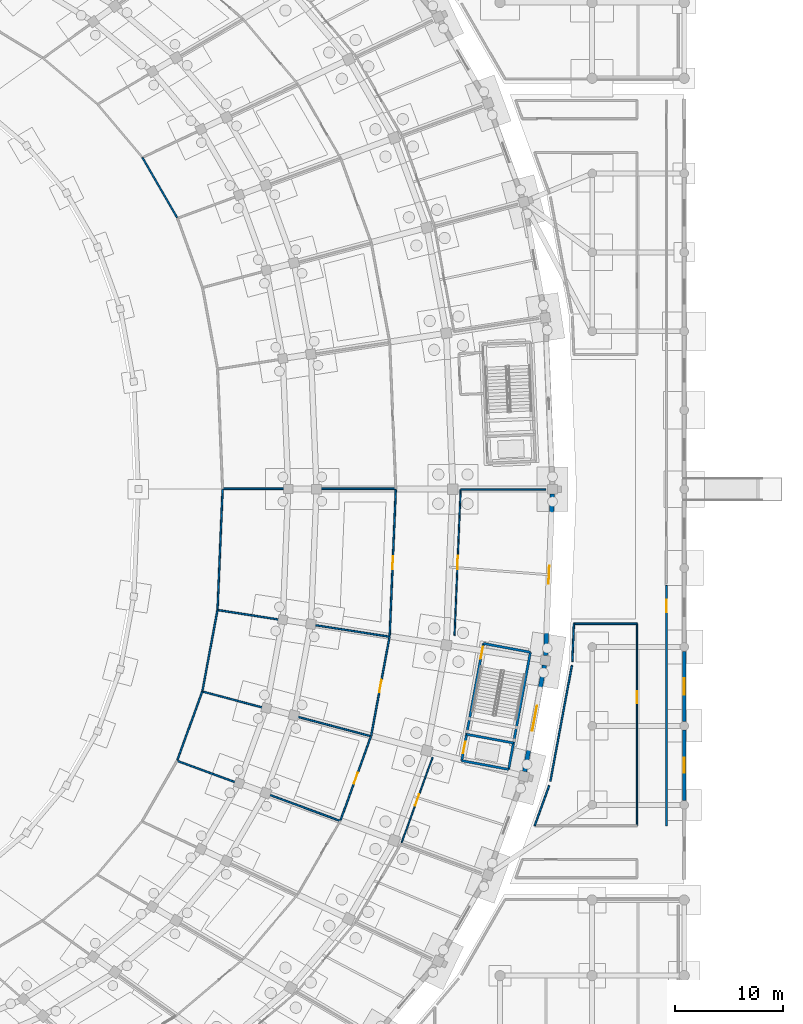
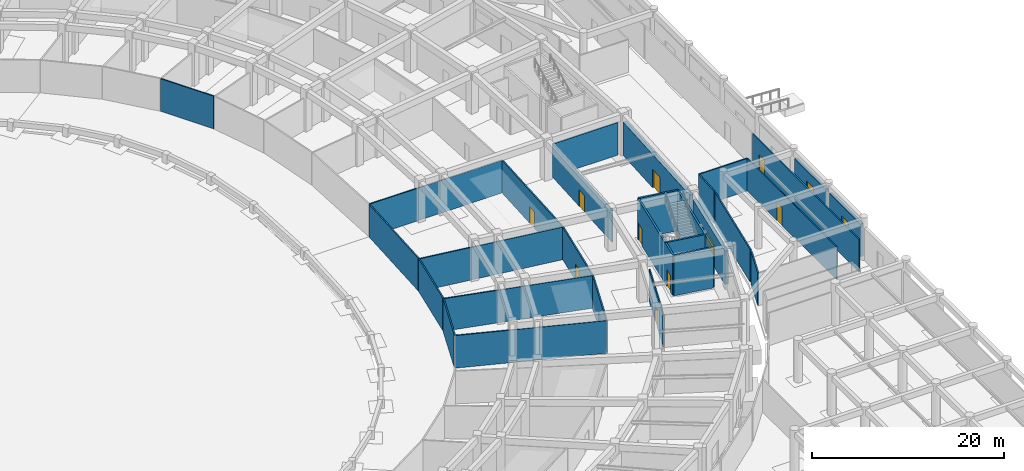
# One storey, part 53 of 88: 29 walls, 10 doors, 3 windows, 13 openings.
"""IFC4 building model written with IfcOpenShell, lengths in metres."""

from ifc_helpers import new_model, si_unit, direction, frame, frame_2d, origin, place, context, subcontext, project, spatial, rectangle, extrude, material, layer, layer_set, type_object, element, fill, save


model = new_model("IFC4")

# Units and contexts
model_context = context("Model", 3, precision=1e-05, world=origin(), true_north=direction((0.0, 1.0)))
body_context = subcontext(model_context, "Body", "Model", "MODEL_VIEW")
ifc_project = project(units=[si_unit("LENGTHUNIT", "METRE"), si_unit("AREAUNIT", "SQUARE_METRE"), si_unit("VOLUMEUNIT", "CUBIC_METRE"), si_unit("PLANEANGLEUNIT", "RADIAN"), si_unit("MASSUNIT", "GRAM", prefix="KILO")], contexts=[model_context])

# Site, building, storey
site_placement = place(None, origin())
site = spatial("IfcSite", under=ifc_project, at=site_placement, CompositionType="ELEMENT")
building_placement = place(site_placement, origin())
building = spatial("IfcBuilding", under=site, at=building_placement, Name="Mphavela Belvedere Stadium", CompositionType="ELEMENT")
storey_placement = place(building_placement, origin())
storey = spatial("IfcBuildingStorey", under=building, at=storey_placement, Name="L00", CompositionType="ELEMENT", Elevation=0.0)

# Walls
ifc_material_1 = material(Name="Concrete C40/50", Category="concrete")
ifc_layer_1 = layer(ifc_material_1, 0.219970703125)
ifc_layer_set_1 = layer_set([ifc_layer_1], Name="Concrete C40/50")
wall_type_1 = type_object("IfcWallType", Name="WAL-CORE-SHEAR-220", PredefinedType="SHEAR", material=ifc_layer_set_1)
wall_1_placement = place(storey_placement, frame((215.771728515625, 71.914794921875, 0.0), z_axis=(0.0, 0.0, 1.0), x_axis=(-0.182574755222, -0.983191974517, 0.0)))
element("IfcWall", 1, at=wall_1_placement, inside=storey, type_object=wall_type_1, Name="Core C12 shear wall L00 rear", PredefinedType="SHEAR", context=body_context, shape_type="SweptSolid", body=[
    extrude(rectangle(XDim=11.02001953125, YDim=0.219970703125, at=frame_2d((5.510009765625, 0.0))), origin(), (0.0, 0.0, 1.0), 5.14990234375),
])
for number, where, z_axis, x_axis, name in (
    (2, (211.43603515625, 72.72021484375, 0.0), (0.0, 0.0, 1.0), (0.983179789985, -0.182640358532, 0.0), "Core C12 shear wall L00 left"),
    (3, (209.424072265625, 61.88525390625, 0.0), (0.0, 0.0, 1.0), (0.983189729951, -0.18258684213, 0.0), "Core C12 shear wall L00 right"),
):
    element("IfcWall", number, at=place(storey_placement, frame(where, z_axis=z_axis, x_axis=x_axis)), inside=storey, type_object=wall_type_1, Name=name, PredefinedType="SHEAR", context=body_context, shape_type="SweptSolid", body=[
        extrude(rectangle(XDim=4.409912109375, YDim=0.219970703125, at=frame_2d((2.205078125, 0.0))), origin(), (0.0, 0.0, 1.0), 5.14990234375),
    ])

# Wall, openings, doors
wall_2_placement = place(storey_placement, frame((211.43603515625, 72.72021484375, 0.0), z_axis=(0.0, 0.0, 1.0), x_axis=(-0.182570778451, -0.983192712979, 0.0)))
wall_2 = element("IfcWall", 4, at=wall_2_placement, inside=storey, type_object=wall_type_1, Name="Core C12 shear wall L00 front", PredefinedType="SHEAR", context=body_context, shape_type="SweptSolid", body=[
    extrude(rectangle(XDim=11.020263671875, YDim=0.219970703125, at=frame_2d((5.51025390625, 0.0))), origin(), (0.0, 0.0, 1.0), 5.14990234375),
])
opening_1_placement = place(wall_2_placement, frame((0.300048828125, 0.0, 0.0)))
opening_1 = element("IfcOpeningElement", 5, at=opening_1_placement, cuts=wall_2, Name="Opening SD-062", PredefinedType="OPENING", context=body_context, shape_type="SweptSolid", body=[
    extrude(rectangle(XDim=1.14990234375, YDim=2.14990234375, at=frame_2d((0.574951171875, 1.074951171875))), frame((0.0, 0.1201171875, 0.0), z_axis=(0.0, -1.0, 0.0), x_axis=(1.0, 0.0, 0.0)), (0.0, 0.0, 1.0), 0.239990234375),
])
opening_2_placement = place(wall_2_placement, frame((9.22998046875, 0.0, 0.0)))
opening_2 = element("IfcOpeningElement", 6, at=opening_2_placement, cuts=wall_2, Name="Opening LD-062", PredefinedType="OPENING", context=body_context, shape_type="SweptSolid", body=[
    extrude(rectangle(XDim=1.10009765625, YDim=2.14990234375, at=frame_2d((0.550048828125, 1.074951171875))), frame((0.0, 0.1201171875, 0.0), z_axis=(0.0, -1.0, 0.0), x_axis=(1.0, 0.0, 0.0)), (0.0, 0.0, 1.0), 0.239990234375),
])
ifc_material_2 = material(Name="Stainless steel center-parting lift landing door", Category="steel")
door_type_1 = type_object("IfcDoorType", Name="DR-LIFT-SLIDE-1100", OperationType="NOTDEFINED", PredefinedType="DOOR", material=ifc_material_2)
door_1_placement = place(opening_2_placement, origin())
door_1 = element("IfcDoor", 7, at=door_1_placement, inside=storey, type_object=door_type_1, Name="Lift landing sliding door PL06 L00", OperationType="DOUBLE_DOOR_SLIDING", OverallHeight=2.14990234375, OverallWidth=1.10009765625, PredefinedType="DOOR", context=body_context, shape_type="SweptSolid", body=[
    extrude(rectangle(XDim=1.10009765625, YDim=2.14990234375, at=frame_2d((0.550048828125, 1.074951171875))), frame((0.0, 0.02490234375, 0.0), z_axis=(0.0, -1.0, 0.0), x_axis=(1.0, 0.0, 0.0)), (0.0, 0.0, 1.0), 0.050048828125),
])
fill(opening_2, door_1)
ifc_material_3 = material(Name="Steel acoustic fire-resisting stair doorset", Category="steel")
door_type_2 = type_object("IfcDoorType", Name="DR-STAIR-FIRE-1150", OperationType="NOTDEFINED", PredefinedType="DOOR", material=ifc_material_3)
door_2_placement = place(opening_1_placement, origin())
door_2 = element("IfcDoor", 8, at=door_2_placement, inside=storey, type_object=door_type_2, Name="Escape stair fire door C12 L00", OperationType="SINGLE_SWING_RIGHT", OverallHeight=2.14990234375, OverallWidth=1.14990234375, PredefinedType="DOOR", context=body_context, shape_type="SweptSolid", body=[
    extrude(rectangle(XDim=1.14990234375, YDim=2.14990234375, at=frame_2d((0.574951171875, 1.074951171875))), frame((0.0, 0.02490234375, 0.0), z_axis=(0.0, -1.0, 0.0), x_axis=(1.0, 0.0, 0.0)), (0.0, 0.0, 1.0), 0.050048828125),
])
fill(opening_1, door_2)

# Wall
wall_3_placement = place(storey_placement, frame((209.876708984375, 64.323486328125, 0.0), z_axis=(0.0, 0.0, 1.0), x_axis=(0.983201511677, -0.182523388739, 0.0)))
element("IfcWall", 9, at=wall_3_placement, inside=storey, type_object=wall_type_1, Name="Core C12 shear wall L00 div", PredefinedType="SHEAR", context=body_context, shape_type="SweptSolid", body=[
    extrude(rectangle(XDim=4.409912109375, YDim=0.219970703125, at=frame_2d((2.205078125, 0.0))), origin(), (0.0, 0.0, 1.0), 5.14990234375),
])

# Wall, opening, window
ifc_material_4 = material(Name="Honed ashlar limestone masonry", Category="masonry")
ifc_layer_2 = layer(ifc_material_4, 0.35009765625)
ifc_layer_set_2 = layer_set([ifc_layer_2], Name="Honed ashlar limestone masonry")
wall_type_2 = type_object("IfcWallType", Name="WAL-EXT-ASHLAR-350", PredefinedType="STANDARD", material=ifc_layer_set_2)
wall_4_placement = place(storey_placement, frame((230.0, 64.701904296875, 0.0), z_axis=(0.0, 0.0, 1.0), x_axis=(0.0, -1.0, 0.0)))
wall_4 = element("IfcWall", 10, at=wall_4_placement, inside=storey, type_object=wall_type_2, Name="East Planted Eaves Peristyle Colonnade outer facade bay L00-02", PredefinedType="STANDARD", context=body_context, shape_type="SweptSolid", body=[
    extrude(rectangle(XDim=6.50390625, YDim=0.35009765625, at=frame_2d((3.251953125, 0.0))), origin(), (0.0, 0.0, 1.0), 4.159912109375),
])
opening_3_placement = place(wall_4_placement, frame((2.56201171875, 0.0, 0.89990234375)))
opening_3 = element("IfcOpeningElement", 11, at=opening_3_placement, cuts=wall_4, Name="Opening W-289", PredefinedType="OPENING", context=body_context, shape_type="SweptSolid", body=[
    extrude(rectangle(XDim=1.3798828125, YDim=1.949951171875, at=frame_2d((0.68994140625, 0.97509765625))), frame((0.0, 0.18505859375, 0.0), z_axis=(0.0, -1.0, 0.0), x_axis=(1.0, 0.0, 0.0)), (0.0, 0.0, 1.0), 0.3701171875),
])
ifc_material_5 = material(Name="Bronze-anodised thermally broken aluminium window", Category="aluminium")
window_type_1 = type_object("IfcWindowType", Name="WIN-EXT-25", PartitioningType="SINGLE_PANEL", PredefinedType="WINDOW", material=ifc_material_5)
window_1_placement = place(opening_3_placement, origin())
window_1 = element("IfcWindow", 12, at=window_1_placement, inside=storey, type_object=window_type_1, Name="East Planted Eaves Peristyle Colonnade classical window W-289", OverallHeight=1.949951171875, OverallWidth=1.3798828125, PartitioningType="SINGLE_PANEL", PredefinedType="WINDOW", context=body_context, shape_type="SweptSolid", body=[
    extrude(rectangle(XDim=1.3798828125, YDim=1.949951171875, at=frame_2d((0.68994140625, 0.97509765625))), frame((0.0, 0.030029296875, 0.0), z_axis=(0.0, -1.0, 0.0), x_axis=(1.0, 0.0, 0.0)), (0.0, 0.0, 1.0), 0.06005859375),
])
fill(opening_3, window_1)

wall_5_placement = place(storey_placement, frame((230.0, 72.001953125, 0.0), z_axis=(0.0, 0.0, 1.0), x_axis=(0.0, -1.0, 0.0)))
wall_5 = element("IfcWall", 13, at=wall_5_placement, inside=storey, type_object=wall_type_2, Name="East Planted Eaves Peristyle Colonnade outer facade bay L00-03", PredefinedType="STANDARD", context=body_context, shape_type="SweptSolid", body=[
    extrude(rectangle(XDim=6.50390625, YDim=0.35009765625, at=frame_2d((3.251953125, 0.0))), origin(), (0.0, 0.0, 1.0), 4.159912109375),
])
opening_4_placement = place(wall_5_placement, frame((2.491943359375, 0.0, 0.89990234375)))
opening_4 = element("IfcOpeningElement", 14, at=opening_4_placement, cuts=wall_5, Name="Opening W-290", PredefinedType="OPENING", context=body_context, shape_type="SweptSolid", body=[
    extrude(rectangle(XDim=1.52001953125, YDim=1.949951171875, at=frame_2d((0.760009765625, 0.97509765625))), frame((0.0, 0.18505859375, 0.0), z_axis=(0.0, -1.0, 0.0), x_axis=(1.0, 0.0, 0.0)), (0.0, 0.0, 1.0), 0.3701171875),
])
ifc_material_6 = material(Name="Bronze-anodised thermally broken aluminium window", Category="aluminium")
window_type_2 = type_object("IfcWindowType", Name="WIN-EXT-26", PartitioningType="SINGLE_PANEL", PredefinedType="WINDOW", material=ifc_material_6)
window_2_placement = place(opening_4_placement, origin())
window_2 = element("IfcWindow", 15, at=window_2_placement, inside=storey, type_object=window_type_2, Name="East Planted Eaves Peristyle Colonnade classical window W-290", OverallHeight=1.949951171875, OverallWidth=1.52001953125, PartitioningType="SINGLE_PANEL", PredefinedType="WINDOW", context=body_context, shape_type="SweptSolid", body=[
    extrude(rectangle(XDim=1.52001953125, YDim=1.949951171875, at=frame_2d((0.760009765625, 0.97509765625))), frame((0.0, 0.030029296875, 0.0), z_axis=(0.0, -1.0, 0.0), x_axis=(1.0, 0.0, 0.0)), (0.0, 0.0, 1.0), 0.06005859375),
])
fill(opening_4, window_2)

ifc_material_7 = material(Name="Rusticated ashlar limestone masonry", Category="masonry")
ifc_layer_3 = layer(ifc_material_7, 0.39990234375)
ifc_layer_set_3 = layer_set([ifc_layer_3], Name="Rusticated ashlar limestone masonry")
wall_type_3 = type_object("IfcWallType", Name="WAL-EXT-ASHLAR-400", PredefinedType="STANDARD", material=ifc_layer_set_3)
wall_6_placement = place(storey_placement, frame((217.073486328125, 70.714599609375, 0.0), z_axis=(0.0, 0.0, 1.0), x_axis=(-0.182624880635, -0.98318266511, 0.0)))
wall_6 = element("IfcWall", 16, at=wall_6_placement, inside=storey, type_object=wall_type_3, Name="Ground plinth rusticated ashlar wall 47", PredefinedType="STANDARD", context=body_context, shape_type="SweptSolid", body=[
    extrude(rectangle(XDim=10.0048828125, YDim=0.39990234375, at=frame_2d((5.00244140625, 0.0))), origin(), (0.0, 0.0, 1.0), 4.25),
])
opening_5_placement = place(wall_6_placement, frame((3.822509765625, 0.0, 1.10009765625)))
opening_5 = element("IfcOpeningElement", 17, at=opening_5_placement, cuts=wall_6, Name="Opening W-010", PredefinedType="OPENING", context=body_context, shape_type="SweptSolid", body=[
    extrude(rectangle(XDim=2.360107421875, YDim=1.550048828125, at=frame_2d((1.18017578125, 0.77490234375))), frame((0.0, 0.2099609375, 0.0), z_axis=(0.0, -1.0, 0.0), x_axis=(1.0, 0.0, 0.0)), (0.0, 0.0, 1.0), 0.419921875),
])
ifc_material_8 = material(Name="Bronze-anodised thermally broken aluminium window", Category="aluminium")
window_type_3 = type_object("IfcWindowType", Name="WIN-EXT-10", PartitioningType="SINGLE_PANEL", PredefinedType="WINDOW", material=ifc_material_8)
window_3_placement = place(opening_5_placement, origin())
window_3 = element("IfcWindow", 18, at=window_3_placement, inside=storey, type_object=window_type_3, Name="Plinth classical window W-010", OverallHeight=1.550048828125, OverallWidth=2.360107421875, PartitioningType="SINGLE_PANEL", PredefinedType="WINDOW", context=body_context, shape_type="SweptSolid", body=[
    extrude(rectangle(XDim=2.360107421875, YDim=1.550048828125, at=frame_2d((1.18017578125, 0.77490234375))), frame((0.0, 0.030029296875, 0.0), z_axis=(0.0, -1.0, 0.0), x_axis=(1.0, 0.0, 0.0)), (0.0, 0.0, 1.0), 0.06005859375),
])
fill(opening_5, window_3)

# Wall, opening, door
wall_7_placement = place(storey_placement, frame((217.80126953125, 86.552490234375, 0.0), z_axis=(0.0, 0.0, 1.0), x_axis=(-0.041899972393, -0.999121810548, 0.0)))
wall_7 = element("IfcWall", 19, at=wall_7_placement, inside=storey, type_object=wall_type_3, Name="Ground plinth rusticated ashlar wall 48", PredefinedType="STANDARD", context=body_context, shape_type="SweptSolid", body=[
    extrude(rectangle(XDim=14.963134765625, YDim=0.39990234375, at=frame_2d((7.4814453125, 0.0))), origin(), (0.0, 0.0, 1.0), 4.25),
])
opening_6_placement = place(wall_7_placement, frame((6.631591796875, 0.0, 0.0)))
opening_6 = element("IfcOpeningElement", 20, at=opening_6_placement, cuts=wall_7, Name="Opening ED-024", PredefinedType="OPENING", context=body_context, shape_type="SweptSolid", body=[
    extrude(rectangle(XDim=1.699951171875, YDim=2.35009765625, at=frame_2d((0.85009765625, 1.175048828125))), frame((0.0, 0.2099609375, 0.0), z_axis=(0.0, -1.0, 0.0), x_axis=(1.0, 0.0, 0.0)), (0.0, 0.0, 1.0), 0.419921875),
])
ifc_material_9 = material(Name="Glazed bronze-anodised steel exit doorset", Category="steel")
door_type_3 = type_object("IfcDoorType", Name="DR-EXT-08", OperationType="NOTDEFINED", PredefinedType="DOOR", material=ifc_material_9)
door_3_placement = place(opening_6_placement, origin())
door_3 = element("IfcDoor", 21, at=door_3_placement, inside=storey, type_object=door_type_3, Name="Spectator final exit doorset ED-024", OperationType="DOUBLE_DOOR_SINGLE_SWING", OverallHeight=2.35009765625, OverallWidth=1.699951171875, PredefinedType="DOOR", context=body_context, shape_type="SweptSolid", body=[
    extrude(rectangle(XDim=1.699951171875, YDim=2.35009765625, at=frame_2d((0.85009765625, 1.175048828125))), frame((0.0, 0.02490234375, 0.0), z_axis=(0.0, -1.0, 0.0), x_axis=(1.0, 0.0, 0.0)), (0.0, 0.0, 1.0), 0.050048828125),
])
fill(opening_6, door_3)

ifc_material_10 = material(Name="Moisture-resistant sanitary partition assembly")
ifc_layer_4 = layer(ifc_material_10, 0.125)
ifc_layer_set_4 = layer_set([ifc_layer_4], Name="Moisture-resistant sanitary partition assembly")
wall_type_4 = type_object("IfcWallType", Name="WAL-PART-125", PredefinedType="PARTITIONING", material=ifc_layer_set_4)
wall_8_placement = place(storey_placement, frame((203.866455078125, 54.3037109375, 0.0), z_axis=(0.0, 0.0, 1.0), x_axis=(0.341044550343, 0.940047134287, 0.0)))
wall_8 = element("IfcWall", 22, at=wall_8_placement, inside=storey, type_object=wall_type_4, Name="Room L00-156 corridor partition", PredefinedType="PARTITIONING", context=body_context, shape_type="SweptSolid", body=[
    extrude(rectangle(XDim=8.39208984375, YDim=0.125, at=frame_2d((4.196044921875, 0.0))), origin(), (0.0, 0.0, 1.0), 4.14990234375),
])
opening_7_placement = place(wall_8_placement, frame((3.64599609375, 0.0, 0.0)))
opening_7 = element("IfcOpeningElement", 23, at=opening_7_placement, cuts=wall_8, Name="Opening ID-078", PredefinedType="OPENING", context=body_context, shape_type="SweptSolid", body=[
    extrude(rectangle(XDim=1.10009765625, YDim=2.10009765625, at=frame_2d((0.550048828125, 1.050048828125))), frame((0.0, 0.072509765625, 0.0), z_axis=(0.0, -1.0, 0.0), x_axis=(1.0, 0.0, 0.0)), (0.0, 0.0, 1.0), 0.14501953125),
])
ifc_material_11 = material(Name="Hardwood acoustic timber doorset", Category="wood")
door_type_4 = type_object("IfcDoorType", Name="DR-INT-06", OperationType="NOTDEFINED", PredefinedType="DOOR", material=ifc_material_11)
door_4_placement = place(opening_7_placement, origin())
door_4 = element("IfcDoor", 24, at=door_4_placement, inside=storey, type_object=door_type_4, Name="Room L00-156 entrance door ID-078", OperationType="SINGLE_SWING_RIGHT", OverallHeight=2.10009765625, OverallWidth=1.10009765625, PredefinedType="DOOR", context=body_context, shape_type="SweptSolid", body=[
    extrude(rectangle(XDim=1.10009765625, YDim=2.10009765625, at=frame_2d((0.550048828125, 1.050048828125))), frame((0.0, 0.02490234375, 0.0), z_axis=(0.0, -1.0, 0.0), x_axis=(1.0, 0.0, 0.0)), (0.0, 0.0, 1.0), 0.050048828125),
])
fill(opening_7, door_4)

wall_9_placement = place(storey_placement, frame((208.756103515625, 73.4619140625, 0.0), z_axis=(0.0, 0.0, 1.0), x_axis=(0.04192519436, 0.999120752501, 0.0)))
wall_9 = element("IfcWall", 25, at=wall_9_placement, inside=storey, type_object=wall_type_4, Name="Room L00-161 corridor partition", PredefinedType="PARTITIONING", context=body_context, shape_type="SweptSolid", body=[
    extrude(rectangle(XDim=13.510009765625, YDim=0.125, at=frame_2d((6.7548828125, 0.0))), origin(), (0.0, 0.0, 1.0), 4.14990234375),
])
opening_8_placement = place(wall_9_placement, frame((6.14501953125, 0.0, 0.0)))
opening_8 = element("IfcOpeningElement", 26, at=opening_8_placement, cuts=wall_9, Name="Opening ID-081", PredefinedType="OPENING", context=body_context, shape_type="SweptSolid", body=[
    extrude(rectangle(XDim=1.219970703125, YDim=2.10009765625, at=frame_2d((0.60986328125, 1.050048828125))), frame((0.0, 0.072509765625, 0.0), z_axis=(0.0, -1.0, 0.0), x_axis=(1.0, 0.0, 0.0)), (0.0, 0.0, 1.0), 0.14501953125),
])
ifc_material_12 = material(Name="Hardwood acoustic timber doorset", Category="wood")
door_type_5 = type_object("IfcDoorType", Name="DR-INT-09", OperationType="NOTDEFINED", PredefinedType="DOOR", material=ifc_material_12)
door_5_placement = place(opening_8_placement, origin())
door_5 = element("IfcDoor", 27, at=door_5_placement, inside=storey, type_object=door_type_5, Name="Room L00-161 entrance door ID-081", OperationType="SINGLE_SWING_LEFT", OverallHeight=2.10009765625, OverallWidth=1.219970703125, PredefinedType="DOOR", context=body_context, shape_type="SweptSolid", body=[
    extrude(rectangle(XDim=1.219970703125, YDim=2.10009765625, at=frame_2d((0.60986328125, 1.050048828125))), frame((0.0, 0.02490234375, 0.0), z_axis=(0.0, -1.0, 0.0), x_axis=(1.0, 0.0, 0.0)), (0.0, 0.0, 1.0), 0.050048828125),
])
fill(opening_8, door_5)

wall_10_placement = place(storey_placement, frame((225.639892578125, 74.550048828125, 0.0), z_axis=(0.0, 0.0, 1.0), x_axis=(0.0, -1.0, 0.0)))
wall_10 = element("IfcWall", 28, at=wall_10_placement, inside=storey, type_object=wall_type_4, Name="Room L00-207 corridor partition", PredefinedType="PARTITIONING", context=body_context, shape_type="SweptSolid", body=[
    extrude(rectangle(XDim=18.68994140625, YDim=0.125, at=frame_2d((9.344970703125, 0.0))), origin(), (0.0, 0.0, 1.0), 4.14990234375),
])
opening_9_placement = place(wall_10_placement, frame((6.25244140625, 0.0, 0.0)))
opening_9 = element("IfcOpeningElement", 29, at=opening_9_placement, cuts=wall_10, Name="Opening ID-534", PredefinedType="OPENING", context=body_context, shape_type="SweptSolid", body=[
    extrude(rectangle(XDim=1.10009765625, YDim=2.300048828125, at=frame_2d((0.550048828125, 1.14990234375))), frame((0.0, 0.072509765625, 0.0), z_axis=(0.0, -1.0, 0.0), x_axis=(1.0, 0.0, 0.0)), (0.0, 0.0, 1.0), 0.14501953125),
])
ifc_material_13 = material(Name="Hardwood acoustic timber doorset", Category="wood")
door_type_6 = type_object("IfcDoorType", Name="DR-INT-30", OperationType="NOTDEFINED", PredefinedType="DOOR", material=ifc_material_13)
door_6_placement = place(opening_9_placement, origin())
door_6 = element("IfcDoor", 30, at=door_6_placement, inside=storey, type_object=door_type_6, Name="Room L00-207 entrance door ID-534", OperationType="SINGLE_SWING_RIGHT", OverallHeight=2.300048828125, OverallWidth=1.10009765625, PredefinedType="DOOR", context=body_context, shape_type="SweptSolid", body=[
    extrude(rectangle(XDim=1.10009765625, YDim=2.300048828125, at=frame_2d((0.550048828125, 1.14990234375))), frame((0.0, 0.02490234375, 0.0), z_axis=(0.0, -1.0, 0.0), x_axis=(1.0, 0.0, 0.0)), (0.0, 0.0, 1.0), 0.050048828125),
])
fill(opening_9, door_6)

ifc_material_14 = material(Name="Acoustic gypsum stud partition assembly")
ifc_layer_5 = layer(ifc_material_14, 0.14990234375)
ifc_layer_set_5 = layer_set([ifc_layer_5], Name="Acoustic gypsum stud partition assembly")
wall_type_5 = type_object("IfcWallType", Name="WAL-PART-150", PredefinedType="PARTITIONING", material=ifc_layer_set_5)
wall_11_placement = place(storey_placement, frame((201.032470703125, 64.143798828125, 0.0), z_axis=(0.0, 0.0, 1.0), x_axis=(-0.341044733968, -0.940047067669, 0.0)))
wall_11 = element("IfcWall", 31, at=wall_11_placement, inside=storey, type_object=wall_type_5, Name="Room L00-155 corridor partition", PredefinedType="PARTITIONING", context=body_context, shape_type="SweptSolid", body=[
    extrude(rectangle(XDim=8.25390625, YDim=0.14990234375, at=frame_2d((4.126953125, 0.0))), origin(), (0.0, 0.0, 1.0), 4.14990234375),
])
opening_10_placement = place(wall_11_placement, frame((3.596923828125, 0.0, 0.0)))
opening_10 = element("IfcOpeningElement", 32, at=opening_10_placement, cuts=wall_11, Name="Opening ID-077", PredefinedType="OPENING", context=body_context, shape_type="SweptSolid", body=[
    extrude(rectangle(XDim=1.06005859375, YDim=2.10009765625, at=frame_2d((0.530029296875, 1.050048828125))), frame((0.0, 0.0849609375, 0.0), z_axis=(0.0, -1.0, 0.0), x_axis=(1.0, 0.0, 0.0)), (0.0, 0.0, 1.0), 0.169921875),
])
ifc_material_15 = material(Name="Hardwood acoustic timber doorset", Category="wood")
door_type_7 = type_object("IfcDoorType", Name="DR-INT-05", OperationType="NOTDEFINED", PredefinedType="DOOR", material=ifc_material_15)
door_7_placement = place(opening_10_placement, origin())
door_7 = element("IfcDoor", 33, at=door_7_placement, inside=storey, type_object=door_type_7, Name="Room L00-155 entrance door ID-077", OperationType="SINGLE_SWING_LEFT", OverallHeight=2.10009765625, OverallWidth=1.06005859375, PredefinedType="DOOR", context=body_context, shape_type="SweptSolid", body=[
    extrude(rectangle(XDim=1.06005859375, YDim=2.10009765625, at=frame_2d((0.530029296875, 1.050048828125))), frame((0.0, 0.02490234375, 0.0), z_axis=(0.0, -1.0, 0.0), x_axis=(1.0, 0.0, 0.0)), (0.0, 0.0, 1.0), 0.050048828125),
])
fill(opening_10, door_7)

wall_12_placement = place(storey_placement, frame((202.748779296875, 73.34912109375, 0.0), z_axis=(0.0, 0.0, 1.0), x_axis=(-0.182600545941, -0.983187184936, 0.0)))
wall_12 = element("IfcWall", 34, at=wall_12_placement, inside=storey, type_object=wall_type_5, Name="Room L00-158 corridor partition", PredefinedType="PARTITIONING", context=body_context, shape_type="SweptSolid", body=[
    extrude(rectangle(XDim=9.2841796875, YDim=0.14990234375, at=frame_2d((4.64208984375, 0.0))), origin(), (0.0, 0.0, 1.0), 4.14990234375),
])
opening_11_placement = place(wall_12_placement, frame((4.072021484375, 0.0, 0.0)))
opening_11 = element("IfcOpeningElement", 35, at=opening_11_placement, cuts=wall_12, Name="Opening ID-079", PredefinedType="OPENING", context=body_context, shape_type="SweptSolid", body=[
    extrude(rectangle(XDim=1.139892578125, YDim=2.10009765625, at=frame_2d((0.56982421875, 1.050048828125))), frame((0.0, 0.0849609375, 0.0), z_axis=(0.0, -1.0, 0.0), x_axis=(1.0, 0.0, 0.0)), (0.0, 0.0, 1.0), 0.169921875),
])
ifc_material_16 = material(Name="Hardwood acoustic timber doorset", Category="wood")
door_type_8 = type_object("IfcDoorType", Name="DR-INT-07", OperationType="NOTDEFINED", PredefinedType="DOOR", material=ifc_material_16)
door_8_placement = place(opening_11_placement, origin())
door_8 = element("IfcDoor", 36, at=door_8_placement, inside=storey, type_object=door_type_8, Name="Room L00-158 entrance door ID-079", OperationType="SINGLE_SWING_LEFT", OverallHeight=2.10009765625, OverallWidth=1.139892578125, PredefinedType="DOOR", context=body_context, shape_type="SweptSolid", body=[
    extrude(rectangle(XDim=1.139892578125, YDim=2.10009765625, at=frame_2d((0.56982421875, 1.050048828125))), frame((0.0, 0.02490234375, 0.0), z_axis=(0.0, -1.0, 0.0), x_axis=(1.0, 0.0, 0.0)), (0.0, 0.0, 1.0), 0.050048828125),
])
fill(opening_11, door_8)

wall_13_placement = place(storey_placement, frame((203.3251953125, 86.9599609375, 0.0), z_axis=(0.0, 0.0, 1.0), x_axis=(-0.041894479342, -0.999122040894, 0.0)))
wall_13 = element("IfcWall", 37, at=wall_13_placement, inside=storey, type_object=wall_type_5, Name="Room L00-160 corridor partition", PredefinedType="PARTITIONING", context=body_context, shape_type="SweptSolid", body=[
    extrude(rectangle(XDim=13.543212890625, YDim=0.14990234375, at=frame_2d((6.771484375, 0.0))), origin(), (0.0, 0.0, 1.0), 4.14990234375),
])
opening_12_placement = place(wall_13_placement, frame((6.181640625, 0.0, 0.0)))
opening_12 = element("IfcOpeningElement", 38, at=opening_12_placement, cuts=wall_13, Name="Opening ID-080", PredefinedType="OPENING", context=body_context, shape_type="SweptSolid", body=[
    extrude(rectangle(XDim=1.179931640625, YDim=2.10009765625, at=frame_2d((0.58984375, 1.050048828125))), frame((0.0, 0.0849609375, 0.0), z_axis=(0.0, -1.0, 0.0), x_axis=(1.0, 0.0, 0.0)), (0.0, 0.0, 1.0), 0.169921875),
])
ifc_material_17 = material(Name="Hardwood acoustic timber doorset", Category="wood")
door_type_9 = type_object("IfcDoorType", Name="DR-INT-08", OperationType="NOTDEFINED", PredefinedType="DOOR", material=ifc_material_17)
door_9_placement = place(opening_12_placement, origin())
door_9 = element("IfcDoor", 39, at=door_9_placement, inside=storey, type_object=door_type_9, Name="Room L00-160 entrance door ID-080", OperationType="SINGLE_SWING_RIGHT", OverallHeight=2.10009765625, OverallWidth=1.179931640625, PredefinedType="DOOR", context=body_context, shape_type="SweptSolid", body=[
    extrude(rectangle(XDim=1.179931640625, YDim=2.10009765625, at=frame_2d((0.58984375, 1.050048828125))), frame((0.0, 0.02490234375, 0.0), z_axis=(0.0, -1.0, 0.0), x_axis=(1.0, 0.0, 0.0)), (0.0, 0.0, 1.0), 0.050048828125),
])
fill(opening_12, door_9)

wall_14_placement = place(storey_placement, frame((228.360107421875, 55.860107421875, 0.0), z_axis=(0.0, 0.0, 1.0), x_axis=(0.0, 1.0, 0.0)))
wall_14 = element("IfcWall", 40, at=wall_14_placement, inside=storey, type_object=wall_type_5, Name="Room L00-208 corridor partition", PredefinedType="PARTITIONING", context=body_context, shape_type="SweptSolid", body=[
    extrude(rectangle(XDim=22.22998046875, YDim=0.14990234375, at=frame_2d((11.114990234375, 0.0))), origin(), (0.0, 0.0, 1.0), 4.14990234375),
])
opening_13_placement = place(wall_14_placement, frame((19.74755859375, 0.0, 0.0)))
opening_13 = element("IfcOpeningElement", 41, at=opening_13_placement, cuts=wall_14, Name="Opening ID-535", PredefinedType="OPENING", context=body_context, shape_type="SweptSolid", body=[
    extrude(rectangle(XDim=1.139892578125, YDim=2.300048828125, at=frame_2d((0.56982421875, 1.14990234375))), frame((0.0, 0.0849609375, 0.0), z_axis=(0.0, -1.0, 0.0), x_axis=(1.0, 0.0, 0.0)), (0.0, 0.0, 1.0), 0.169921875),
])
ifc_material_18 = material(Name="Hardwood acoustic timber doorset", Category="wood")
door_type_10 = type_object("IfcDoorType", Name="DR-INT-31", OperationType="NOTDEFINED", PredefinedType="DOOR", material=ifc_material_18)
door_10_placement = place(opening_13_placement, origin())
door_10 = element("IfcDoor", 42, at=door_10_placement, inside=storey, type_object=door_type_10, Name="Room L00-208 entrance door ID-535", OperationType="SINGLE_SWING_LEFT", OverallHeight=2.300048828125, OverallWidth=1.139892578125, PredefinedType="DOOR", context=body_context, shape_type="SweptSolid", body=[
    extrude(rectangle(XDim=1.139892578125, YDim=2.300048828125, at=frame_2d((0.56982421875, 1.14990234375))), frame((0.0, 0.02490234375, 0.0), z_axis=(0.0, -1.0, 0.0), x_axis=(1.0, 0.0, 0.0)), (0.0, 0.0, 1.0), 0.050048828125),
])
fill(opening_13, door_10)

# Walls
wall_15_placement = place(storey_placement, frame((203.3251953125, 87.0400390625, 0.0), z_axis=(0.0, 0.0, 1.0), x_axis=(-1.0, 0.0, 0.0)))
element("IfcWall", 43, at=wall_15_placement, inside=storey, type_object=wall_type_5, Name="Room divider partition L00-0003", PredefinedType="PARTITIONING", context=body_context, shape_type="SweptSolid", body=[
    extrude(rectangle(XDim=16.021728515625, YDim=0.14990234375, at=frame_2d((8.0107421875, 0.0))), origin(), (0.0, 0.0, 1.0), 4.14990234375),
])
wall_16_placement = place(storey_placement, frame((183.09130859375, 112.127685546875, 0.0), z_axis=(0.0, 0.0, 1.0), x_axis=(-0.500568608351, 0.865696868617, 0.0)))
element("IfcWall", 44, at=wall_16_placement, inside=storey, type_object=wall_type_5, Name="Room divider partition L00-0011", PredefinedType="PARTITIONING", context=body_context, shape_type="SweptSolid", body=[
    extrude(rectangle(XDim=6.40087890625, YDim=0.14990234375, at=frame_2d((3.200439453125, 0.0))), origin(), (0.0, 0.0, 1.0), 4.14990234375),
])
wall_17_placement = place(storey_placement, frame((183.09130859375, 61.872314453125, 0.0), z_axis=(0.0, 0.0, 1.0), x_axis=(0.938344671795, -0.345701138143, 0.0)))
element("IfcWall", 45, at=wall_17_placement, inside=storey, type_object=wall_type_5, Name="Room divider partition L00-0130", PredefinedType="PARTITIONING", context=body_context, shape_type="SweptSolid", body=[
    extrude(rectangle(XDim=16.08349609375, YDim=0.14990234375, at=frame_2d((8.041748046875, 0.0))), origin(), (0.0, 0.0, 1.0), 4.14990234375),
])
wall_18_placement = place(storey_placement, frame((183.12451171875, 61.9453125, 0.0), z_axis=(0.0, 0.0, 1.0), x_axis=(0.341039355212, 0.940049019039, 0.0)))
element("IfcWall", 46, at=wall_18_placement, inside=storey, type_object=wall_type_5, Name="Room divider partition L00-0132", PredefinedType="PARTITIONING", context=body_context, shape_type="SweptSolid", body=[
    extrude(rectangle(XDim=6.7421875, YDim=0.14990234375, at=frame_2d((3.37109375, 0.0))), origin(), (0.0, 0.0, 1.0), 4.14990234375),
])
wall_19_placement = place(storey_placement, frame((185.423828125, 68.283203125, 0.0), z_axis=(0.0, 0.0, 1.0), x_axis=(0.966587096108, -0.256338420135, 0.0)))
element("IfcWall", 47, at=wall_19_placement, inside=storey, type_object=wall_type_5, Name="Room divider partition L00-0133", PredefinedType="PARTITIONING", context=body_context, shape_type="SweptSolid", body=[
    extrude(rectangle(XDim=16.148193359375, YDim=0.14990234375, at=frame_2d((8.07421875, 0.0))), origin(), (0.0, 0.0, 1.0), 4.14990234375),
])
wall_20_placement = place(storey_placement, frame((185.44482421875, 68.3603515625, 0.0), z_axis=(0.0, 0.0, 1.0), x_axis=(0.182622862121, 0.983183040044, 0.0)))
element("IfcWall", 48, at=wall_20_placement, inside=storey, type_object=wall_type_5, Name="Room divider partition L00-0134", PredefinedType="PARTITIONING", context=body_context, shape_type="SweptSolid", body=[
    extrude(rectangle(XDim=7.585205078125, YDim=0.14990234375, at=frame_2d((3.79248046875, 0.0))), origin(), (0.0, 0.0, 1.0), 4.14990234375),
])
wall_21_placement = place(storey_placement, frame((186.830078125, 75.818115234375, 0.0), z_axis=(0.0, 0.0, 1.0), x_axis=(0.988184709928, -0.153267671296, 0.0)))
element("IfcWall", 49, at=wall_21_placement, inside=storey, type_object=wall_type_5, Name="Room divider partition L00-0135", PredefinedType="PARTITIONING", context=body_context, shape_type="SweptSolid", body=[
    extrude(rectangle(XDim=16.109130859375, YDim=0.14990234375, at=frame_2d((8.0546875, 0.0))), origin(), (0.0, 0.0, 1.0), 4.14990234375),
])
wall_22_placement = place(storey_placement, frame((186.83935546875, 75.897705078125, 0.0), z_axis=(0.0, 0.0, 1.0), x_axis=(0.041917617243, 0.999121070424, 0.0)))
element("IfcWall", 50, at=wall_22_placement, inside=storey, type_object=wall_type_5, Name="Room divider partition L00-0136", PredefinedType="PARTITIONING", context=body_context, shape_type="SweptSolid", body=[
    extrude(rectangle(XDim=11.072021484375, YDim=0.14990234375, at=frame_2d((5.5361328125, 0.0))), origin(), (0.0, 0.0, 1.0), 4.14990234375),
])
wall_23_placement = place(storey_placement, frame((209.322509765625, 86.9599609375, 0.0), z_axis=(0.0, 0.0, 1.0), x_axis=(1.0, 0.0, 0.0)))
element("IfcWall", 51, at=wall_23_placement, inside=storey, type_object=wall_type_5, Name="Room divider partition L00-0137", PredefinedType="PARTITIONING", context=body_context, shape_type="SweptSolid", body=[
    extrude(rectangle(XDim=7.873779296875, YDim=0.14990234375, at=frame_2d((3.93701171875, 0.0))), origin(), (0.0, 0.0, 1.0), 4.14990234375),
])
wall_24_placement = place(storey_placement, frame((217.62255859375, 59.98095703125, 0.0), z_axis=(0.0, 0.0, 1.0), x_axis=(0.182620957058, 0.983183393901, 0.0)))
element("IfcWall", 52, at=wall_24_placement, inside=storey, type_object=wall_type_5, Name="Room divider partition L00-1221", PredefinedType="PARTITIONING", context=body_context, shape_type="SweptSolid", body=[
    extrude(rectangle(XDim=10.90087890625, YDim=0.14990234375, at=frame_2d((5.450439453125, 0.0))), origin(), (0.0, 0.0, 1.0), 4.14990234375),
])
wall_25_placement = place(storey_placement, frame((219.6533203125, 71.05029296875, 0.0), z_axis=(0.0, 0.0, 1.0), x_axis=(0.041888559174, 0.999122289117, 0.0)))
element("IfcWall", 53, at=wall_25_placement, inside=storey, type_object=wall_type_5, Name="Room divider partition L00-1222", PredefinedType="PARTITIONING", context=body_context, shape_type="SweptSolid", body=[
    extrude(rectangle(XDim=3.5029296875, YDim=0.14990234375, at=frame_2d((1.75146484375, 0.0))), origin(), (0.0, 0.0, 1.0), 4.14990234375),
])
wall_26_placement = place(storey_placement, frame((219.800048828125, 74.550048828125, 0.0), z_axis=(0.0, 0.0, 1.0), x_axis=(1.0, 0.0, 0.0)))
element("IfcWall", 54, at=wall_26_placement, inside=storey, type_object=wall_type_5, Name="Room divider partition L00-1223", PredefinedType="PARTITIONING", context=body_context, shape_type="SweptSolid", body=[
    extrude(rectangle(XDim=5.83984375, YDim=0.14990234375, at=frame_2d((2.919921875, 0.0))), origin(), (0.0, 0.0, 1.0), 4.14990234375),
])
wall_27_placement = place(storey_placement, frame((216.163330078125, 55.860107421875, 0.0), z_axis=(0.0, 0.0, 1.0), x_axis=(0.341035525383, 0.94005040845, 0.0)))
element("IfcWall", 55, at=wall_27_placement, inside=storey, type_object=wall_type_5, Name="Room divider partition L00-1225", PredefinedType="PARTITIONING", context=body_context, shape_type="SweptSolid", body=[
    extrude(rectangle(XDim=3.96240234375, YDim=0.14990234375, at=frame_2d((1.981201171875, 0.0))), origin(), (0.0, 0.0, 1.0), 4.14990234375),
])

save(model, "model.ifc")
